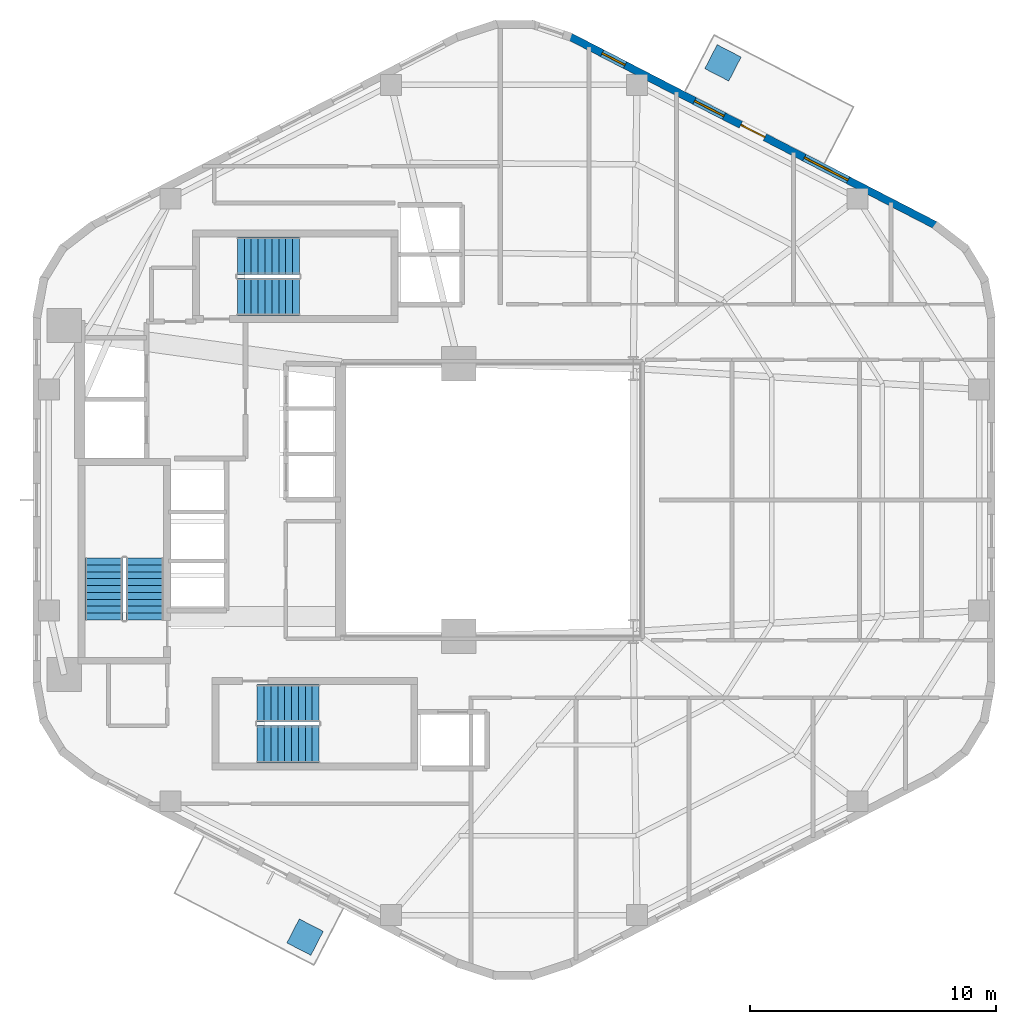
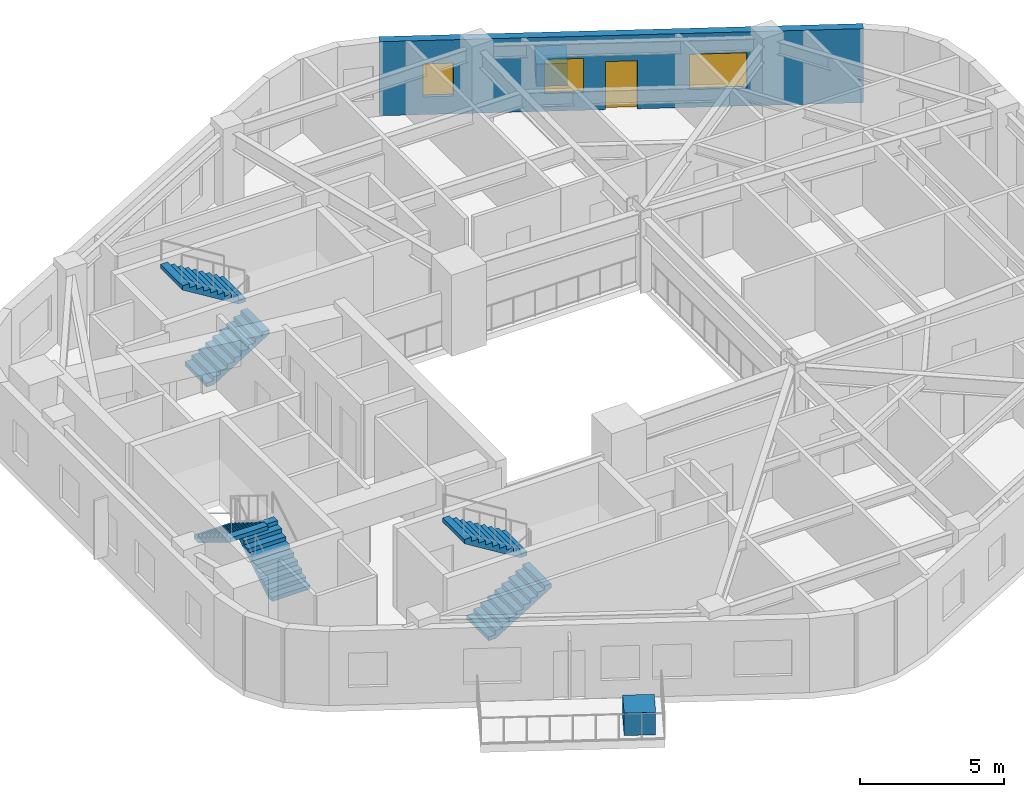
# One storey, part 6 of 8: 6 stair flights, 3 windows, 2 discrete accessories, 1 door, 1 wall, 4 openings, 3 elements without a shape of their own.
"""IFC4 building model written with IfcOpenShell, lengths in metres."""

from ifc_helpers import new_model, si_unit, direction, frame, frame_2d, origin, origin_2d, place, context, subcontext, project, spatial, polyline, rectangle, outline, extrude, material, layer, layer_set, type_object, element, fill, aggregate, save


model = new_model("IFC4")

# Units and contexts
model_context = context("Model", 3, precision=1e-05, world=origin(), true_north=direction((0.0, 1.0)))
body_context = subcontext(model_context, "Body", "Model", "MODEL_VIEW")
ifc_project = project(units=[si_unit("LENGTHUNIT", "METRE"), si_unit("AREAUNIT", "SQUARE_METRE"), si_unit("VOLUMEUNIT", "CUBIC_METRE"), si_unit("PLANEANGLEUNIT", "RADIAN"), si_unit("MASSUNIT", "GRAM", prefix="KILO"), si_unit("THERMODYNAMICTEMPERATUREUNIT", "KELVIN"), si_unit("POWERUNIT", "WATT")], contexts=[model_context])

# Site, building, storey
site_placement = place(None, origin())
site = spatial("IfcSite", under=ifc_project, at=site_placement, CompositionType="ELEMENT")
building_placement = place(site_placement, origin())
building = spatial("IfcBuilding", under=site, at=building_placement, Name="Skarre Station Tower", CompositionType="ELEMENT")
storey_placement = place(building_placement, frame((0.0, 0.0, 187.800048828125)))
storey = spatial("IfcBuildingStorey", under=building, at=storey_placement, Name="L51", CompositionType="ELEMENT", Elevation=187.800048828125)

# Wall, openings, windows, door
ifc_material_1 = material(Name="Precast concrete C45/55", Category="concrete")
ifc_layer = layer(ifc_material_1, 0.31005859375, Name="Precast concrete C45/55")
ifc_layer_set = layer_set([ifc_layer], Name="Precast concrete C45/55")
wall_type = type_object("IfcWallType", Name="Nordic Upper-Zone Precast Facet Wall 310", PredefinedType="STANDARD", material=ifc_layer_set)
wall_placement = place(storey_placement, frame((36.837890625, 42.87109375, 0.0), z_axis=(0.0, 0.0, 1.0), x_axis=(0.888626188278, -0.458632202867, 0.0)))
wall = element("IfcWall", 1, at=wall_placement, inside=storey, type_object=wall_type, Name="L51 Facet 0 Nordic Precast Masonry Wall", PredefinedType="STANDARD", context=body_context, shape_type="SweptSolid", body=[
    extrude(rectangle(XDim=16.828369140625, YDim=0.31005859375, at=frame_2d((8.4140625, 0.0))), origin(), (0.0, 0.0, 1.0), 3.139892578125),
])
opening_1_placement = place(wall_placement, frame((7.864013671875, 0.0, 0.0)))
opening_1 = element("IfcOpeningElement", 2, at=opening_1_placement, cuts=wall, Name="Opening DR-BAL110", PredefinedType="OPENING", context=body_context, shape_type="SweptSolid", body=[
    extrude(rectangle(XDim=1.10009765625, YDim=2.0400390625, at=frame_2d((0.550048828125, 1.02001953125))), frame((0.0, 0.1650390625, 0.0), z_axis=(0.0, -1.0, 0.0), x_axis=(1.0, 0.0, 0.0)), (0.0, 0.0, 1.0), 0.330078125),
])
opening_2_placement = place(wall_placement, frame((1.51611328125, 0.0, 0.75)))
opening_2 = element("IfcOpeningElement", 3, at=opening_2_placement, cuts=wall, Name="Opening WN-SLT", PredefinedType="OPENING", context=body_context, shape_type="SweptSolid", body=[
    extrude(rectangle(XDim=1.050048828125, YDim=1.39990234375, at=frame_2d((0.52490234375, 0.699951171875))), frame((0.0, 0.1650390625, 0.0), z_axis=(0.0, -1.0, 0.0), x_axis=(1.0, 0.0, 0.0)), (0.0, 0.0, 1.0), 0.330078125),
])
opening_3_placement = place(wall_placement, frame((5.7451171875, 0.0, 0.75)))
opening_3 = element("IfcOpeningElement", 4, at=opening_3_placement, cuts=wall, Name="Opening WN-Z3B", PredefinedType="OPENING", context=body_context, shape_type="SweptSolid", body=[
    extrude(rectangle(XDim=1.35009765625, YDim=1.449951171875, at=frame_2d((0.675048828125, 0.72509765625))), frame((0.0, 0.1650390625, 0.0), z_axis=(0.0, -1.0, 0.0), x_axis=(1.0, 0.0, 0.0)), (0.0, 0.0, 1.0), 0.330078125),
])
opening_4_placement = place(wall_placement, frame((10.77392578125, 0.0, 0.75)))
opening_4 = element("IfcOpeningElement", 5, at=opening_4_placement, cuts=wall, Name="Opening WN-Z3A", PredefinedType="OPENING", context=body_context, shape_type="SweptSolid", body=[
    extrude(rectangle(XDim=2.0, YDim=1.5, at=frame_2d((1.0, 0.75))), frame((0.0, 0.1650390625, 0.0), z_axis=(0.0, -1.0, 0.0), x_axis=(1.0, 0.0, 0.0)), (0.0, 0.0, 1.0), 0.330078125),
])
ifc_material_2 = material(Name="Low-Iron Triple Glazing with Bronze Anodized Frame", Category="glass")
window_type_1 = type_object("IfcWindowType", Name="Nordic Corner Slot Window 1050x1400", PartitioningType="SINGLE_PANEL", PredefinedType="WINDOW", material=ifc_material_2)
window_1_placement = place(opening_2_placement, origin())
window_1 = element("IfcWindow", 6, at=window_1_placement, inside=storey, type_object=window_type_1, Name="L51 Facade Window WL-FAC-L51-F0-1", OverallHeight=1.39990234375, OverallWidth=1.050048828125, PartitioningType="SINGLE_PANEL", PredefinedType="WINDOW", context=body_context, shape_type="SweptSolid", body=[
    extrude(rectangle(XDim=1.050048828125, YDim=1.39990234375, at=frame_2d((0.52490234375, 0.699951171875))), frame((0.0, 0.030029296875, 0.0), z_axis=(0.0, -1.0, 0.0), x_axis=(1.0, 0.0, 0.0)), (0.0, 0.0, 1.0), 0.06005859375),
])
fill(opening_2, window_1)
window_type_2 = type_object("IfcWindowType", Name="Nordic Hospitality Narrow Window 1350x1450", PartitioningType="SINGLE_PANEL", PredefinedType="WINDOW", material=ifc_material_2)
window_2_placement = place(opening_3_placement, origin())
window_2 = element("IfcWindow", 7, at=window_2_placement, inside=storey, type_object=window_type_2, Name="L51 Facade Window WL-FAC-L51-F0-2", OverallHeight=1.449951171875, OverallWidth=1.35009765625, PartitioningType="SINGLE_PANEL", PredefinedType="WINDOW", context=body_context, shape_type="SweptSolid", body=[
    extrude(rectangle(XDim=1.35009765625, YDim=1.449951171875, at=frame_2d((0.675048828125, 0.72509765625))), frame((0.0, 0.030029296875, 0.0), z_axis=(0.0, -1.0, 0.0), x_axis=(1.0, 0.0, 0.0)), (0.0, 0.0, 1.0), 0.06005859375),
])
fill(opening_3, window_2)
window_type_3 = type_object("IfcWindowType", Name="Nordic Hospitality Window 2000x1500", PartitioningType="SINGLE_PANEL", PredefinedType="WINDOW", material=ifc_material_2)
window_3_placement = place(opening_4_placement, origin())
window_3 = element("IfcWindow", 8, at=window_3_placement, inside=storey, type_object=window_type_3, Name="L51 Facade Window WL-FAC-L51-F0-3", OverallHeight=1.5, OverallWidth=2.0, PartitioningType="SINGLE_PANEL", PredefinedType="WINDOW", context=body_context, shape_type="SweptSolid", body=[
    extrude(rectangle(XDim=2.0, YDim=1.5, at=frame_2d((1.0, 0.75))), frame((0.0, 0.030029296875, 0.0), z_axis=(0.0, -1.0, 0.0), x_axis=(1.0, 0.0, 0.0)), (0.0, 0.0, 1.0), 0.06005859375),
])
fill(opening_4, window_3)
ifc_material_3 = material(Name="Thermally Broken Aluminium & Triple Glazing", Category="aluminium")
door_type = type_object("IfcDoorType", Name="Terrace & Tree-Balcony Glazed Door 1100x2200", OperationType="SINGLE_SWING_LEFT", PredefinedType="DOOR", material=ifc_material_3)
door_placement = place(opening_1_placement, origin())
door = element("IfcDoor", 9, at=door_placement, inside=storey, type_object=door_type, Name="L51 TB-L51-F0 Tree-Balcony Glazed Door", OperationType="SINGLE_SWING_LEFT", OverallHeight=2.0400390625, OverallWidth=1.10009765625, PredefinedType="DOOR", context=body_context, shape_type="SweptSolid", body=[
    extrude(rectangle(XDim=1.10009765625, YDim=2.0400390625, at=frame_2d((0.550048828125, 1.02001953125))), frame((0.0, 0.02490234375, 0.0), z_axis=(0.0, -1.0, 0.0), x_axis=(1.0, 0.0, 0.0)), (0.0, 0.0, 1.0), 0.050048828125),
])
fill(opening_1, door)

# Stair, stair flights
ifc_material_4 = material(Name="Concrete C40/50", Category="concrete")
stair_type_1 = type_object("IfcStairType", Name="Reinforced Concrete Exit Stair ST-1", PredefinedType="HALF_TURN_STAIR", material=ifc_material_4)
stair_1_placement = place(storey_placement, origin())
stair_1 = element("IfcStair", 10, at=stair_1_placement, inside=storey, type_object=stair_type_1, Name="L51 Core Exit Stair ST-1", PredefinedType="HALF_TURN_STAIR")
stair_flight_type_1 = type_object("IfcStairFlightType", Name="Reinforced Concrete Stair Flight ST-1", PredefinedType="STRAIGHT", material=ifc_material_4)
stair_flight_1_placement = place(storey_placement, frame((19.590087890625, 19.1201171875, 0.0), z_axis=(0.0, 0.0, 1.0), x_axis=(0.0, 1.0, 0.0)))
stair_flight_1 = element("IfcStairFlight", 11, at=stair_flight_1_placement, type_object=stair_flight_type_1, Name="ST-1 flight 1", NumberOfRisers=10, NumberOfTreads=9, PredefinedType="STRAIGHT", RiserHeight=0.1725, TreadLength=0.28, context=body_context, shape_type="SweptSolid", body=[
    extrude(outline(polyline([(0.0, 0.0), (0.0, 0.172607421875), (0.280029296875, 0.172607421875), (0.280029296875, 0.344970703125), (0.56005859375, 0.344970703125), (0.56005859375, 0.517578125), (0.840087890625, 0.517578125), (0.840087890625, 0.68994140625), (1.1201171875, 0.68994140625), (1.1201171875, 0.862548828125), (1.39990234375, 0.862548828125), (1.39990234375, 1.034912109375), (1.679931640625, 1.034912109375), (1.679931640625, 1.20751953125), (1.9599609375, 1.20751953125), (1.9599609375, 1.3798828125), (2.239990234375, 1.3798828125), (2.239990234375, 1.552490234375), (2.52001953125, 1.552490234375), (2.52001953125, 1.72509765625), (2.52001953125, 1.37646484375), (0.285888671875, 0.0), (0.0, 0.0)])), frame((0.0, 0.760009765625, 0.0), z_axis=(0.0, -1.0, 0.0), x_axis=(1.0, 0.0, 0.0)), (0.0, 0.0, 1.0), 1.52001953125),
])
stair_flight_2_placement = place(storey_placement, frame((17.909912109375, 21.639892578125, 1.724853515625), z_axis=(0.0, 0.0, 1.0), x_axis=(0.0, -1.0, 0.0)))
stair_flight_2 = element("IfcStairFlight", 12, at=stair_flight_2_placement, type_object=stair_flight_type_1, Name="ST-1 flight 2", NumberOfRisers=10, NumberOfTreads=9, PredefinedType="STRAIGHT", RiserHeight=0.1725, TreadLength=0.28, context=body_context, shape_type="SweptSolid", body=[
    extrude(outline(polyline([(0.0, 0.0), (0.0, 0.172607421875), (0.280029296875, 0.172607421875), (0.280029296875, 0.344970703125), (0.56005859375, 0.344970703125), (0.56005859375, 0.517578125), (0.840087890625, 0.517578125), (0.840087890625, 0.68994140625), (1.1201171875, 0.68994140625), (1.1201171875, 0.862548828125), (1.39990234375, 0.862548828125), (1.39990234375, 1.034912109375), (1.679931640625, 1.034912109375), (1.679931640625, 1.20751953125), (1.9599609375, 1.20751953125), (1.9599609375, 1.3798828125), (2.239990234375, 1.3798828125), (2.239990234375, 1.552490234375), (2.52001953125, 1.552490234375), (2.52001953125, 1.72509765625), (2.52001953125, 1.37646484375), (0.285888671875, 0.0), (0.0, 0.0)])), frame((0.0, 0.760009765625, 0.0), z_axis=(0.0, -1.0, 0.0), x_axis=(1.0, 0.0, 0.0)), (0.0, 0.0, 1.0), 1.52001953125),
])
aggregate(stair_1, [stair_flight_1, stair_flight_2])

stair_type_2 = type_object("IfcStairType", Name="Reinforced Concrete Exit Stair ST-2", PredefinedType="HALF_TURN_STAIR", material=ifc_material_4)
stair_2_placement = place(storey_placement, origin())
stair_2 = element("IfcStair", 13, at=stair_2_placement, inside=storey, type_object=stair_type_2, Name="L51 Core Exit Stair ST-2", PredefinedType="HALF_TURN_STAIR")
stair_flight_type_2 = type_object("IfcStairFlightType", Name="Reinforced Concrete Stair Flight ST-2", PredefinedType="STRAIGHT", material=ifc_material_4)
stair_flight_3_placement = place(storey_placement, frame((24.14990234375, 14.06005859375, 0.0), z_axis=(0.0, 0.0, 1.0), x_axis=(1.0, 0.0, 0.0)))
stair_flight_3 = element("IfcStairFlight", 14, at=stair_flight_3_placement, type_object=stair_flight_type_2, Name="ST-2 flight 1", NumberOfRisers=10, NumberOfTreads=9, PredefinedType="STRAIGHT", RiserHeight=0.1725, TreadLength=0.28, context=body_context, shape_type="SweptSolid", body=[
    extrude(outline(polyline([(0.0, 0.0), (0.0, 0.172607421875), (0.280029296875, 0.172607421875), (0.280029296875, 0.344970703125), (0.56005859375, 0.344970703125), (0.56005859375, 0.517578125), (0.840087890625, 0.517578125), (0.840087890625, 0.68994140625), (1.1201171875, 0.68994140625), (1.1201171875, 0.862548828125), (1.39990234375, 0.862548828125), (1.39990234375, 1.034912109375), (1.679931640625, 1.034912109375), (1.679931640625, 1.20751953125), (1.9599609375, 1.20751953125), (1.9599609375, 1.3798828125), (2.239990234375, 1.3798828125), (2.239990234375, 1.552490234375), (2.52001953125, 1.552490234375), (2.52001953125, 1.72509765625), (2.52001953125, 1.37646484375), (0.285888671875, 0.0), (0.0, 0.0)])), frame((0.0, 0.760009765625, 0.0), z_axis=(0.0, -1.0, 0.0), x_axis=(1.0, 0.0, 0.0)), (0.0, 0.0, 1.0), 1.52001953125),
])
stair_flight_4_placement = place(storey_placement, frame((26.669921875, 15.739990234375, 1.724853515625), z_axis=(0.0, 0.0, 1.0), x_axis=(-1.0, 0.0, 0.0)))
stair_flight_4 = element("IfcStairFlight", 15, at=stair_flight_4_placement, type_object=stair_flight_type_2, Name="ST-2 flight 2", NumberOfRisers=10, NumberOfTreads=9, PredefinedType="STRAIGHT", RiserHeight=0.1725, TreadLength=0.28, context=body_context, shape_type="SweptSolid", body=[
    extrude(outline(polyline([(0.0, 0.0), (0.0, 0.172607421875), (0.280029296875, 0.172607421875), (0.280029296875, 0.344970703125), (0.56005859375, 0.344970703125), (0.56005859375, 0.517578125), (0.840087890625, 0.517578125), (0.840087890625, 0.68994140625), (1.1201171875, 0.68994140625), (1.1201171875, 0.862548828125), (1.39990234375, 0.862548828125), (1.39990234375, 1.034912109375), (1.679931640625, 1.034912109375), (1.679931640625, 1.20751953125), (1.9599609375, 1.20751953125), (1.9599609375, 1.3798828125), (2.239990234375, 1.3798828125), (2.239990234375, 1.552490234375), (2.52001953125, 1.552490234375), (2.52001953125, 1.72509765625), (2.52001953125, 1.37646484375), (0.285888671875, 0.0), (0.0, 0.0)])), frame((0.0, 0.760009765625, 0.0), z_axis=(0.0, -1.0, 0.0), x_axis=(1.0, 0.0, 0.0)), (0.0, 0.0, 1.0), 1.52001953125),
])
aggregate(stair_2, [stair_flight_3, stair_flight_4])

stair_type_3 = type_object("IfcStairType", Name="Reinforced Concrete Exit Stair ST-3", PredefinedType="HALF_TURN_STAIR", material=ifc_material_4)
stair_3_placement = place(storey_placement, origin())
stair_3 = element("IfcStair", 16, at=stair_3_placement, inside=storey, type_object=stair_type_3, Name="L51 Core Exit Stair ST-3", PredefinedType="HALF_TURN_STAIR")
stair_flight_type_3 = type_object("IfcStairFlightType", Name="Reinforced Concrete Stair Flight ST-3", PredefinedType="STRAIGHT", material=ifc_material_4)
stair_flight_5_placement = place(storey_placement, frame((23.35009765625, 32.260009765625, 0.0), z_axis=(0.0, 0.0, 1.0), x_axis=(1.0, 0.0, 0.0)))
stair_flight_5 = element("IfcStairFlight", 17, at=stair_flight_5_placement, type_object=stair_flight_type_3, Name="ST-3 flight 1", NumberOfRisers=10, NumberOfTreads=9, PredefinedType="STRAIGHT", RiserHeight=0.1725, TreadLength=0.28, context=body_context, shape_type="SweptSolid", body=[
    extrude(outline(polyline([(0.0, 0.0), (0.0, 0.172607421875), (0.280029296875, 0.172607421875), (0.280029296875, 0.344970703125), (0.56005859375, 0.344970703125), (0.56005859375, 0.517578125), (0.840087890625, 0.517578125), (0.840087890625, 0.68994140625), (1.1201171875, 0.68994140625), (1.1201171875, 0.862548828125), (1.39990234375, 0.862548828125), (1.39990234375, 1.034912109375), (1.679931640625, 1.034912109375), (1.679931640625, 1.20751953125), (1.9599609375, 1.20751953125), (1.9599609375, 1.3798828125), (2.239990234375, 1.3798828125), (2.239990234375, 1.552490234375), (2.52001953125, 1.552490234375), (2.52001953125, 1.72509765625), (2.52001953125, 1.37646484375), (0.285888671875, 0.0), (0.0, 0.0)])), frame((0.0, 0.760009765625, 0.0), z_axis=(0.0, -1.0, 0.0), x_axis=(1.0, 0.0, 0.0)), (0.0, 0.0, 1.0), 1.52001953125),
])
stair_flight_6_placement = place(storey_placement, frame((25.8701171875, 33.93994140625, 1.724853515625), z_axis=(0.0, 0.0, 1.0), x_axis=(-1.0, 0.0, 0.0)))
stair_flight_6 = element("IfcStairFlight", 18, at=stair_flight_6_placement, type_object=stair_flight_type_3, Name="ST-3 flight 2", NumberOfRisers=10, NumberOfTreads=9, PredefinedType="STRAIGHT", RiserHeight=0.1725, TreadLength=0.28, context=body_context, shape_type="SweptSolid", body=[
    extrude(outline(polyline([(0.0, 0.0), (0.0, 0.172607421875), (0.280029296875, 0.172607421875), (0.280029296875, 0.344970703125), (0.56005859375, 0.344970703125), (0.56005859375, 0.517578125), (0.840087890625, 0.517578125), (0.840087890625, 0.68994140625), (1.1201171875, 0.68994140625), (1.1201171875, 0.862548828125), (1.39990234375, 0.862548828125), (1.39990234375, 1.034912109375), (1.679931640625, 1.034912109375), (1.679931640625, 1.20751953125), (1.9599609375, 1.20751953125), (1.9599609375, 1.3798828125), (2.239990234375, 1.3798828125), (2.239990234375, 1.552490234375), (2.52001953125, 1.552490234375), (2.52001953125, 1.72509765625), (2.52001953125, 1.37646484375), (0.285888671875, 0.0), (0.0, 0.0)])), frame((0.0, 0.760009765625, 0.0), z_axis=(0.0, -1.0, 0.0), x_axis=(1.0, 0.0, 0.0)), (0.0, 0.0, 1.0), 1.52001953125),
])
aggregate(stair_3, [stair_flight_5, stair_flight_6])

# Discrete accessories
discrete_accessory_type = type_object("IfcDiscreteAccessoryType", Name="Insulated Precast Tree Planter Trough 1100x1100x950", PredefinedType="USERDEFINED", material=ifc_material_1)
for number, where, z_axis, x_axis, name in (
    (19, (26.10009765625, 6.217041015625, 0.0), (0.0, 0.0, 1.0), (-0.458634045118, -0.888625237464, 0.0), "L51 TB-L51-F3 Insulated Precast Tree Planter Trough"),
    (20, (43.10009765625, 41.782958984375, 0.0), (0.0, 0.0, 1.0), (0.458634045118, 0.888625237464, 0.0), "L51 TB-L51-F0 Insulated Precast Tree Planter Trough"),
):
    element("IfcDiscreteAccessory", number, at=place(storey_placement, frame(where, z_axis=z_axis, x_axis=x_axis)), inside=storey, type_object=discrete_accessory_type, Name=name, ObjectType="PLANTER", PredefinedType="USERDEFINED", context=body_context, shape_type="SweptSolid", body=[
        extrude(rectangle(XDim=1.10009765625, YDim=1.10009765625, at=origin_2d()), origin(), (0.0, 0.0, 1.0), 0.949951171875),
    ])

save(model, "model.ifc")
